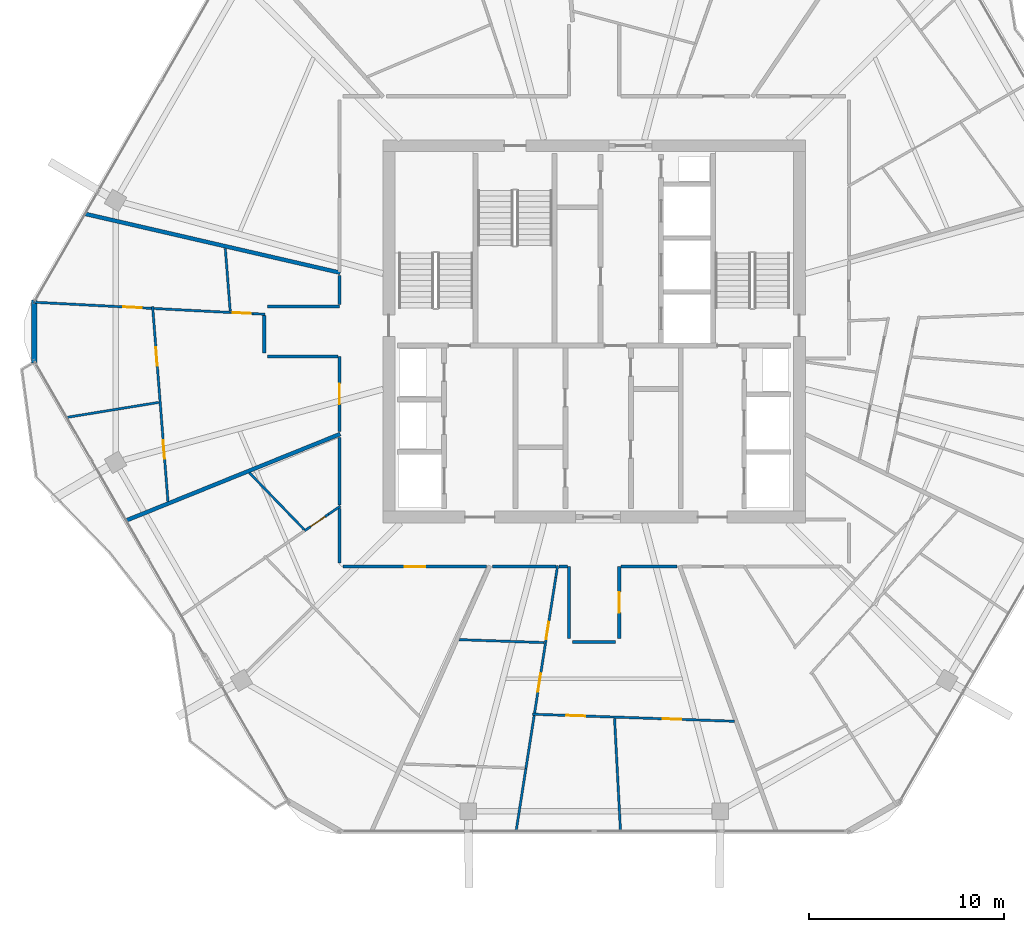
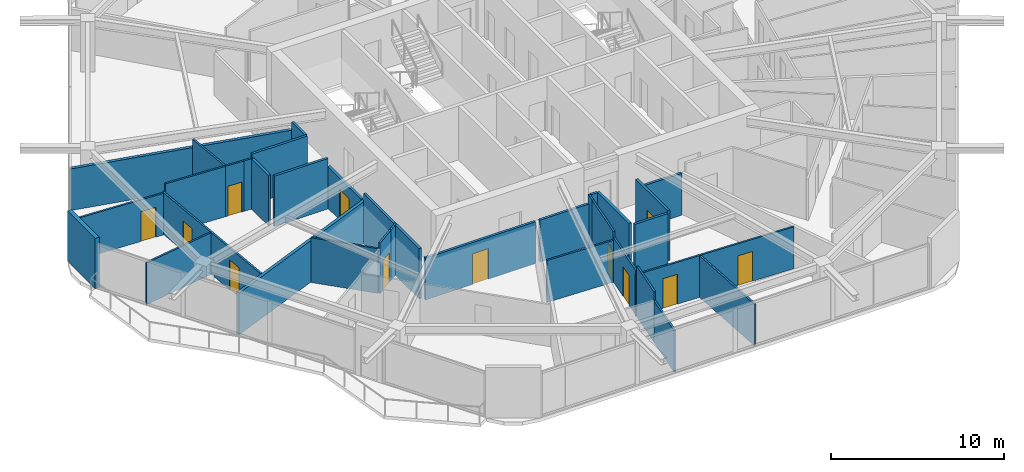
# One storey, part 18 of 26: 35 walls, 12 doors, 12 openings.
"""IFC4 building model written with IfcOpenShell, lengths in metres."""

from ifc_helpers import new_model, si_unit, direction, frame, frame_2d, origin, place, context, subcontext, project, spatial, rectangle, extrude, material, layer, layer_set, type_object, element, fill, save


model = new_model("IFC4")

# Units and contexts
model_context = context("Model", 3, precision=1e-05, world=origin(), true_north=direction((0.0, 1.0)))
body_context = subcontext(model_context, "Body", "Model", "MODEL_VIEW")
ifc_project = project(units=[si_unit("LENGTHUNIT", "METRE"), si_unit("AREAUNIT", "SQUARE_METRE"), si_unit("VOLUMEUNIT", "CUBIC_METRE"), si_unit("PLANEANGLEUNIT", "RADIAN"), si_unit("MASSUNIT", "GRAM", prefix="KILO")], contexts=[model_context])

# Site, building, storey
site_placement = place(None, origin())
site = spatial("IfcSite", under=ifc_project, at=site_placement, CompositionType="ELEMENT")
building_placement = place(site_placement, origin())
building = spatial("IfcBuilding", under=site, at=building_placement, Name="Zuhravey Tower", CompositionType="ELEMENT")
storey_placement = place(building_placement, frame((0.0, 0.0, 295.800048828125)))
storey = spatial("IfcBuildingStorey", under=building, at=storey_placement, Name="L75", CompositionType="ELEMENT", Elevation=295.800048828125)

# Wall, opening, door
ifc_material_1 = material(Name="Gypsum fire-rated stud partition")
ifc_layer_1 = layer(ifc_material_1, 0.159912109375)
ifc_layer_set_1 = layer_set([ifc_layer_1], Name="Gypsum fire-rated stud partition")
wall_type_1 = type_object("IfcWallType", Name="Corridor Fire Partition 160", PredefinedType="PARTITIONING", material=ifc_layer_set_1)
wall_1_placement = place(storey_placement, frame((23.14990234375, 19.969970703125, 0.0), z_axis=(0.0, 0.0, 1.0), x_axis=(1.0, 0.0, 0.0)))
wall_1 = element("IfcWall", 1, at=wall_1_placement, inside=storey, type_object=wall_type_1, Name="L75 IW16 Partition 025", PredefinedType="PARTITIONING", context=body_context, shape_type="SweptSolid", body=[
    extrude(rectangle(XDim=7.345703125, YDim=0.159912109375, at=frame_2d((3.6728515625, 0.0))), origin(), (0.0, 0.0, 1.0), 2.949951171875),
])
opening_1_placement = place(wall_1_placement, frame((3.147705078125, 0.0, 0.0)))
opening_1 = element("IfcOpeningElement", 2, at=opening_1_placement, cuts=wall_1, Name="Opening APD1", PredefinedType="OPENING", context=body_context, shape_type="SweptSolid", body=[
    extrude(rectangle(XDim=1.050048828125, YDim=2.14990234375, at=frame_2d((0.52490234375, 1.074951171875))), frame((0.0, 0.092041015625, 0.0), z_axis=(0.0, -1.0, 0.0), x_axis=(1.0, 0.0, 0.0)), (0.0, 0.0, 1.0), 0.183837890625),
])
ifc_material_2 = material(Name="Solid-core oak fire-rated leaf")
door_type_1 = type_object("IfcDoorType", Name="Apartment Entrance Fire Door 1050x2150", OperationType="NOTDEFINED", PredefinedType="DOOR", material=ifc_material_2)
door_1_placement = place(opening_1_placement, frame((1.050048828125, 0.0, 0.0), z_axis=(0.0, 0.0, 1.0), x_axis=(-1.0, 0.0, 0.0)))
door_1 = element("IfcDoor", 3, at=door_1_placement, inside=storey, type_object=door_type_1, Name="L75 Door 025.1", OperationType="SINGLE_SWING_LEFT", OverallHeight=2.14990234375, OverallWidth=1.050048828125, PredefinedType="DOOR", context=body_context, shape_type="SweptSolid", body=[
    extrude(rectangle(XDim=1.050048828125, YDim=2.14990234375, at=frame_2d((0.52490234375, 1.074951171875))), frame((0.0, 0.02490234375, 0.0), z_axis=(0.0, -1.0, 0.0), x_axis=(1.0, 0.0, 0.0)), (0.0, 0.0, 1.0), 0.050048828125),
])
fill(opening_1, door_1)

wall_2_placement = place(storey_placement, frame((37.280029296875, 16.300048828125, 0.0), z_axis=(0.0, 0.0, 1.0), x_axis=(0.0, 1.0, 0.0)))
wall_2 = element("IfcWall", 4, at=wall_2_placement, inside=storey, type_object=wall_type_1, Name="L75 IW16 Partition 031", PredefinedType="PARTITIONING", context=body_context, shape_type="SweptSolid", body=[
    extrude(rectangle(XDim=3.669921875, YDim=0.159912109375, at=frame_2d((1.8349609375, 0.0))), origin(), (0.0, 0.0, 1.0), 3.550048828125),
])
opening_2_placement = place(wall_2_placement, frame((1.31005859375, 0.0, 0.0)))
opening_2 = element("IfcOpeningElement", 5, at=opening_2_placement, cuts=wall_2, Name="Opening APD1", PredefinedType="OPENING", context=body_context, shape_type="SweptSolid", body=[
    extrude(rectangle(XDim=1.050048828125, YDim=2.14990234375, at=frame_2d((0.52490234375, 1.074951171875))), frame((0.0, 0.092041015625, 0.0), z_axis=(0.0, -1.0, 0.0), x_axis=(1.0, 0.0, 0.0)), (0.0, 0.0, 1.0), 0.183837890625),
])
door_2_placement = place(opening_2_placement, frame((1.050048828125, 0.0, 0.0), z_axis=(0.0, 0.0, 1.0), x_axis=(-1.0, 0.0, 0.0)))
door_2 = element("IfcDoor", 6, at=door_2_placement, inside=storey, type_object=door_type_1, Name="L75 Door 031.1", OperationType="SINGLE_SWING_LEFT", OverallHeight=2.14990234375, OverallWidth=1.050048828125, PredefinedType="DOOR", context=body_context, shape_type="SweptSolid", body=[
    extrude(rectangle(XDim=1.050048828125, YDim=2.14990234375, at=frame_2d((0.52490234375, 1.074951171875))), frame((0.0, 0.02490234375, 0.0), z_axis=(0.0, -1.0, 0.0), x_axis=(1.0, 0.0, 0.0)), (0.0, 0.0, 1.0), 0.050048828125),
])
fill(opening_2, door_2)

wall_3_placement = place(storey_placement, frame((22.969970703125, 30.719970703125, 0.0), z_axis=(0.0, 0.0, 1.0), x_axis=(0.0, -1.0, 0.0)))
wall_3 = element("IfcWall", 7, at=wall_3_placement, inside=storey, type_object=wall_type_1, Name="L75 IW16 Partition 057", PredefinedType="PARTITIONING", context=body_context, shape_type="SweptSolid", body=[
    extrude(rectangle(XDim=3.8310546875, YDim=0.159912109375, at=frame_2d((1.91552734375, 0.0))), origin(), (0.0, 0.0, 1.0), 2.949951171875),
])
opening_3_placement = place(wall_3_placement, frame((1.390625, 0.0, 0.0)))
opening_3 = element("IfcOpeningElement", 8, at=opening_3_placement, cuts=wall_3, Name="Opening APD1", PredefinedType="OPENING", context=body_context, shape_type="SweptSolid", body=[
    extrude(rectangle(XDim=1.050048828125, YDim=2.14990234375, at=frame_2d((0.52490234375, 1.074951171875))), frame((0.0, 0.092041015625, 0.0), z_axis=(0.0, -1.0, 0.0), x_axis=(1.0, 0.0, 0.0)), (0.0, 0.0, 1.0), 0.183837890625),
])
door_3_placement = place(opening_3_placement, frame((1.050048828125, 0.0, 0.0), z_axis=(0.0, 0.0, 1.0), x_axis=(-1.0, 0.0, 0.0)))
door_3 = element("IfcDoor", 9, at=door_3_placement, inside=storey, type_object=door_type_1, Name="L75 Door 057.1", OperationType="SINGLE_SWING_LEFT", OverallHeight=2.14990234375, OverallWidth=1.050048828125, PredefinedType="DOOR", context=body_context, shape_type="SweptSolid", body=[
    extrude(rectangle(XDim=1.050048828125, YDim=2.14990234375, at=frame_2d((0.52490234375, 1.074951171875))), frame((0.0, 0.02490234375, 0.0), z_axis=(0.0, -1.0, 0.0), x_axis=(1.0, 0.0, 0.0)), (0.0, 0.0, 1.0), 0.050048828125),
])
fill(opening_3, door_3)

# Walls
wall_4_placement = place(storey_placement, frame((22.969970703125, 22.94873046875, 0.0), z_axis=(0.0, 0.0, 1.0), x_axis=(0.0, -1.0, 0.0)))
element("IfcWall", 10, at=wall_4_placement, inside=storey, type_object=wall_type_1, Name="L75 IW16 Partition 106", PredefinedType="PARTITIONING", context=body_context, shape_type="SweptSolid", body=[
    extrude(rectangle(XDim=2.798828125, YDim=0.159912109375, at=frame_2d((1.3994140625, 0.0))), origin(), (0.0, 0.0, 1.0), 3.550048828125),
])
wall_5_placement = place(storey_placement, frame((22.969970703125, 26.5810546875, 0.0), z_axis=(0.0, 0.0, 1.0), x_axis=(0.0, -1.0, 0.0)))
element("IfcWall", 11, at=wall_5_placement, inside=storey, type_object=wall_type_1, Name="L75 IW16 Partition 107", PredefinedType="PARTITIONING", context=body_context, shape_type="SweptSolid", body=[
    extrude(rectangle(XDim=3.467041015625, YDim=0.159912109375, at=frame_2d((1.7333984375, 0.0))), origin(), (0.0, 0.0, 1.0), 3.550048828125),
])
wall_6_placement = place(storey_placement, frame((34.719970703125, 19.969970703125, 0.0), z_axis=(0.0, 0.0, 1.0), x_axis=(0.0, -1.0, 0.0)))
element("IfcWall", 12, at=wall_6_placement, inside=storey, type_object=wall_type_1, Name="L75 IW16 Partition 108", PredefinedType="PARTITIONING", context=body_context, shape_type="SweptSolid", body=[
    extrude(rectangle(XDim=3.669921875, YDim=0.159912109375, at=frame_2d((1.8349609375, 0.0))), origin(), (0.0, 0.0, 1.0), 3.550048828125),
])
wall_7_placement = place(storey_placement, frame((37.367919921875, 19.969970703125, 0.0), z_axis=(0.0, 0.0, 1.0), x_axis=(1.0, 0.0, 0.0)))
element("IfcWall", 13, at=wall_7_placement, inside=storey, type_object=wall_type_1, Name="L75 IW16 Partition 109", PredefinedType="PARTITIONING", context=body_context, shape_type="SweptSolid", body=[
    extrude(rectangle(XDim=2.870849609375, YDim=0.159912109375, at=frame_2d((1.435546875, 0.0))), origin(), (0.0, 0.0, 1.0), 2.949951171875),
])
wall_8_placement = place(storey_placement, frame((34.89990234375, 16.1201171875, 0.0), z_axis=(0.0, 0.0, 1.0), x_axis=(1.0, 0.0, 0.0)))
element("IfcWall", 14, at=wall_8_placement, inside=storey, type_object=wall_type_1, Name="L75 IW16 Partition 110", PredefinedType="PARTITIONING", context=body_context, shape_type="SweptSolid", body=[
    extrude(rectangle(XDim=2.2001953125, YDim=0.159912109375, at=frame_2d((1.10009765625, 0.0))), origin(), (0.0, 0.0, 1.0), 3.550048828125),
])
wall_9_placement = place(storey_placement, frame((34.189208984375, 19.969970703125, 0.0), z_axis=(0.0, 0.0, 1.0), x_axis=(1.0, 0.0, 0.0)))
element("IfcWall", 15, at=wall_9_placement, inside=storey, type_object=wall_type_1, Name="L75 IW16 Partition 111", PredefinedType="PARTITIONING", context=body_context, shape_type="SweptSolid", body=[
    extrude(rectangle(XDim=0.44287109375, YDim=0.159912109375, at=frame_2d((0.221435546875, 0.0))), origin(), (0.0, 0.0, 1.0), 3.550048828125),
])
wall_10_placement = place(storey_placement, frame((30.791015625, 19.969970703125, 0.0), z_axis=(0.0, 0.0, 1.0), x_axis=(1.0, 0.0, 0.0)))
element("IfcWall", 16, at=wall_10_placement, inside=storey, type_object=wall_type_1, Name="L75 IW16 Partition 112", PredefinedType="PARTITIONING", context=body_context, shape_type="SweptSolid", body=[
    extrude(rectangle(XDim=3.260498046875, YDim=0.159912109375, at=frame_2d((1.63037109375, 0.0))), origin(), (0.0, 0.0, 1.0), 2.949951171875),
])
wall_11_placement = place(storey_placement, frame((19.300048828125, 30.719970703125, 0.0), z_axis=(0.0, 0.0, 1.0), x_axis=(1.0, 0.0, 0.0)))
element("IfcWall", 17, at=wall_11_placement, inside=storey, type_object=wall_type_1, Name="L75 IW16 Partition 125", PredefinedType="PARTITIONING", context=body_context, shape_type="SweptSolid", body=[
    extrude(rectangle(XDim=3.58203125, YDim=0.159912109375, at=frame_2d((1.791015625, 0.0))), origin(), (0.0, 0.0, 1.0), 3.550048828125),
])
wall_12_placement = place(storey_placement, frame((19.1201171875, 32.810546875, 0.0), z_axis=(0.0, 0.0, 1.0), x_axis=(0.0, -1.0, 0.0)))
element("IfcWall", 18, at=wall_12_placement, inside=storey, type_object=wall_type_1, Name="L75 IW16 Partition 126", PredefinedType="PARTITIONING", context=body_context, shape_type="SweptSolid", body=[
    extrude(rectangle(XDim=1.91064453125, YDim=0.159912109375, at=frame_2d((0.955322265625, 0.0))), origin(), (0.0, 0.0, 1.0), 3.550048828125),
])
wall_13_placement = place(storey_placement, frame((22.969970703125, 33.280029296875, 0.0), z_axis=(0.0, 0.0, 1.0), x_axis=(-1.0, 0.0, 0.0)))
element("IfcWall", 19, at=wall_13_placement, inside=storey, type_object=wall_type_1, Name="L75 IW16 Partition 127", PredefinedType="PARTITIONING", context=body_context, shape_type="SweptSolid", body=[
    extrude(rectangle(XDim=3.669921875, YDim=0.159912109375, at=frame_2d((1.8349609375, 0.0))), origin(), (0.0, 0.0, 1.0), 3.550048828125),
])
wall_14_placement = place(storey_placement, frame((22.969970703125, 34.8681640625, 0.0), z_axis=(0.0, 0.0, 1.0), x_axis=(0.0, -1.0, 0.0)))
element("IfcWall", 20, at=wall_14_placement, inside=storey, type_object=wall_type_1, Name="L75 IW16 Partition 128", PredefinedType="PARTITIONING", context=body_context, shape_type="SweptSolid", body=[
    extrude(rectangle(XDim=1.500244140625, YDim=0.159912109375, at=frame_2d((0.75, 0.0))), origin(), (0.0, 0.0, 1.0), 3.550048828125),
])
ifc_material_3 = material(Name="Precast concrete C40/50", Category="concrete")
ifc_layer_2 = layer(ifc_material_3, 0.280029296875)
ifc_layer_set_2 = layer_set([ifc_layer_2], Name="Precast concrete C40/50")
wall_type_2 = type_object("IfcWallType", Name="Crown Architectural Wall 280", PredefinedType="SOLIDWALL", material=ifc_layer_set_2)
wall_15_placement = place(storey_placement, frame((7.35498046875, 30.392578125, 0.0), z_axis=(0.0, 0.0, 1.0), x_axis=(0.0, 1.0, 0.0)))
element("IfcWall", 21, at=wall_15_placement, inside=storey, type_object=wall_type_2, Name="L75 Rounded Corner Closure Wall EW28-06", PredefinedType="SOLIDWALL", context=body_context, shape_type="SweptSolid", body=[
    extrude(rectangle(XDim=3.21484375, YDim=0.280029296875, at=frame_2d((1.607421875, 0.0))), origin(), (0.0, 0.0, 1.0), 3.550048828125),
])
ifc_material_4 = material(Name="Gypsum double-stud party assembly")
ifc_layer_3 = layer(ifc_material_4, 0.199951171875)
ifc_layer_set_3 = layer_set([ifc_layer_3], Name="Gypsum double-stud party assembly")
wall_type_3 = type_object("IfcWallType", Name="Inter-Tenancy Party Wall 200", PredefinedType="PARTITIONING", material=ifc_layer_set_3)
wall_16_placement = place(storey_placement, frame((23.010009765625, 26.751708984375, 0.0), z_axis=(0.0, 0.0, 1.0), x_axis=(-0.927183134291, -0.374608376155, 0.0)))
element("IfcWall", 22, at=wall_16_placement, inside=storey, type_object=wall_type_3, Name="L75 IW20 Partition 062", PredefinedType="PARTITIONING", context=body_context, shape_type="SweptSolid", body=[
    extrude(rectangle(XDim=11.8046875, YDim=0.199951171875, at=frame_2d((5.90234375, 0.0))), origin(), (0.0, 0.0, 1.0), 2.929931640625),
])
wall_17_placement = place(storey_placement, frame((23.010009765625, 34.9990234375, 0.0), z_axis=(0.0, 0.0, 1.0), x_axis=(-0.974372460803, 0.224940675799, 0.0)))
element("IfcWall", 23, at=wall_17_placement, inside=storey, type_object=wall_type_3, Name="L75 IW20 Partition 102", PredefinedType="PARTITIONING", context=body_context, shape_type="SweptSolid", body=[
    extrude(rectangle(XDim=13.39990234375, YDim=0.199951171875, at=frame_2d((6.699951171875, 0.0))), origin(), (0.0, 0.0, 1.0), 2.929931640625),
])

# Wall, opening, door
ifc_material_5 = material(Name="Gypsum metal-stud partition")
ifc_layer_4 = layer(ifc_material_5, 0.1201171875)
ifc_layer_set_4 = layer_set([ifc_layer_4], Name="Gypsum metal-stud partition")
wall_type_4 = type_object("IfcWallType", Name="Unit Internal Partition 120", PredefinedType="PARTITIONING", material=ifc_layer_set_4)
wall_18_placement = place(storey_placement, frame((22.39990234375, 22.638916015625, 0.0), z_axis=(0.0, 0.0, 1.0), x_axis=(-0.82372765271, -0.566985673683, 0.0)))
wall_18 = element("IfcWall", 24, at=wall_18_placement, inside=storey, type_object=wall_type_4, Name="L75 IW12 Partition 022", PredefinedType="PARTITIONING", context=body_context, shape_type="SweptSolid", body=[
    extrude(rectangle(XDim=1.473876953125, YDim=0.1201171875, at=frame_2d((0.73681640625, 0.0))), origin(), (0.0, 0.0, 1.0), 3.550048828125),
])
opening_4_placement = place(wall_18_placement, frame((0.199951171875, 0.0, 0.0)))
opening_4 = element("IfcOpeningElement", 25, at=opening_4_placement, cuts=wall_18, Name="Opening WCD1", PredefinedType="OPENING", context=body_context, shape_type="SweptSolid", body=[
    extrude(rectangle(XDim=0.89990234375, YDim=2.10009765625, at=frame_2d((0.449951171875, 1.050048828125))), frame((0.0, 0.072021484375, 0.0), z_axis=(0.0, -1.0, 0.0), x_axis=(1.0, 0.0, 0.0)), (0.0, 0.0, 1.0), 0.14404296875),
])
ifc_material_6 = material(Name="Moisture-resistant timber leaf", Category="wood")
door_type_2 = type_object("IfcDoorType", Name="Bathroom & WC Internal Door 900x2100", OperationType="NOTDEFINED", PredefinedType="DOOR", material=ifc_material_6)
door_4_placement = place(opening_4_placement, frame((0.89990234375, 0.0, 0.0), z_axis=(0.0, 0.0, 1.0), x_axis=(-1.0, 0.0, 0.0)))
door_4 = element("IfcDoor", 26, at=door_4_placement, inside=storey, type_object=door_type_2, Name="Apartment L75-01 Bathroom Door", OperationType="SINGLE_SWING_LEFT", OverallHeight=2.10009765625, OverallWidth=0.89990234375, PredefinedType="DOOR", context=body_context, shape_type="SweptSolid", body=[
    extrude(rectangle(XDim=0.89990234375, YDim=2.10009765625, at=frame_2d((0.449951171875, 1.050048828125))), frame((0.0, 0.02490234375, 0.0), z_axis=(0.0, -1.0, 0.0), x_axis=(1.0, 0.0, 0.0)), (0.0, 0.0, 1.0), 0.050048828125),
])
fill(opening_4, door_4)

# Wall, openings, doors
wall_19_placement = place(storey_placement, frame((32.839111328125, 12.416748046875, 0.0), z_axis=(0.0, 0.0, 1.0), x_axis=(0.999390413178, -0.034911345561, 0.0)))
wall_19 = element("IfcWall", 27, at=wall_19_placement, inside=storey, type_object=wall_type_4, Name="L75 IW12 Partition 026", PredefinedType="PARTITIONING", context=body_context, shape_type="SweptSolid", body=[
    extrude(rectangle(XDim=10.3359375, YDim=0.1201171875, at=frame_2d((5.16796875, 0.0))), origin(), (0.0, 0.0, 1.0), 2.949951171875),
])
opening_5_placement = place(wall_19_placement, frame((1.745849609375, 0.0, 0.0)))
opening_5 = element("IfcOpeningElement", 28, at=opening_5_placement, cuts=wall_19, Name="Opening IND1", PredefinedType="OPENING", context=body_context, shape_type="SweptSolid", body=[
    extrude(rectangle(XDim=0.949951171875, YDim=2.10009765625, at=frame_2d((0.47509765625, 1.050048828125))), frame((0.0, 0.072021484375, 0.0), z_axis=(0.0, -1.0, 0.0), x_axis=(1.0, 0.0, 0.0)), (0.0, 0.0, 1.0), 0.14404296875),
])
opening_6_placement = place(wall_19_placement, frame((6.67333984375, 0.0, 0.0)))
opening_6 = element("IfcOpeningElement", 29, at=opening_6_placement, cuts=wall_19, Name="Opening IND1", PredefinedType="OPENING", context=body_context, shape_type="SweptSolid", body=[
    extrude(rectangle(XDim=0.949951171875, YDim=2.10009765625, at=frame_2d((0.47509765625, 1.050048828125))), frame((0.0, 0.072021484375, 0.0), z_axis=(0.0, -1.0, 0.0), x_axis=(1.0, 0.0, 0.0)), (0.0, 0.0, 1.0), 0.14404296875),
])
ifc_material_7 = material(Name="Painted engineered timber leaf", Category="wood")
door_type_3 = type_object("IfcDoorType", Name="Internal Room & Bedroom Door 950x2100", OperationType="NOTDEFINED", PredefinedType="DOOR", material=ifc_material_7)
door_5_placement = place(opening_5_placement, frame((0.949951171875, 0.0, 0.0), z_axis=(0.0, 0.0, 1.0), x_axis=(-1.0, 0.0, 0.0)))
door_5 = element("IfcDoor", 30, at=door_5_placement, inside=storey, type_object=door_type_3, Name="Apartment L75-02 Family Study Door", OperationType="SINGLE_SWING_RIGHT", OverallHeight=2.10009765625, OverallWidth=0.949951171875, PredefinedType="DOOR", context=body_context, shape_type="SweptSolid", body=[
    extrude(rectangle(XDim=0.949951171875, YDim=2.10009765625, at=frame_2d((0.47509765625, 1.050048828125))), frame((0.0, 0.02490234375, 0.0), z_axis=(0.0, -1.0, 0.0), x_axis=(1.0, 0.0, 0.0)), (0.0, 0.0, 1.0), 0.050048828125),
])
fill(opening_5, door_5)
door_6_placement = place(opening_6_placement, frame((0.949951171875, 0.0, 0.0), z_axis=(0.0, 0.0, 1.0), x_axis=(-1.0, 0.0, 0.0)))
door_6 = element("IfcDoor", 31, at=door_6_placement, inside=storey, type_object=door_type_3, Name="Apartment L75-02 Dining Room Door", OperationType="SINGLE_SWING_LEFT", OverallHeight=2.10009765625, OverallWidth=0.949951171875, PredefinedType="DOOR", context=body_context, shape_type="SweptSolid", body=[
    extrude(rectangle(XDim=0.949951171875, YDim=2.10009765625, at=frame_2d((0.47509765625, 1.050048828125))), frame((0.0, 0.02490234375, 0.0), z_axis=(0.0, -1.0, 0.0), x_axis=(1.0, 0.0, 0.0)), (0.0, 0.0, 1.0), 0.050048828125),
])
fill(opening_6, door_6)

# Wall, opening, door
wall_20_placement = place(storey_placement, frame((34.031494140625, 19.39990234375, 0.0), z_axis=(0.0, 0.0, 1.0), x_axis=(-0.154412048647, -0.988006538052, 0.0)))
wall_20 = element("IfcWall", 32, at=wall_20_placement, inside=storey, type_object=wall_type_4, Name="L75 IW12 Partition 027", PredefinedType="PARTITIONING", context=body_context, shape_type="SweptSolid", body=[
    extrude(rectangle(XDim=3.38818359375, YDim=0.1201171875, at=frame_2d((1.694091796875, 0.0))), origin(), (0.0, 0.0, 1.0), 3.550048828125),
])
opening_7_placement = place(wall_20_placement, frame((2.293212890625, 0.0, 0.0)))
opening_7 = element("IfcOpeningElement", 33, at=opening_7_placement, cuts=wall_20, Name="Opening WCD1", PredefinedType="OPENING", context=body_context, shape_type="SweptSolid", body=[
    extrude(rectangle(XDim=0.89990234375, YDim=2.10009765625, at=frame_2d((0.449951171875, 1.050048828125))), frame((0.0, 0.072021484375, 0.0), z_axis=(0.0, -1.0, 0.0), x_axis=(1.0, 0.0, 0.0)), (0.0, 0.0, 1.0), 0.14404296875),
])
door_7_placement = place(opening_7_placement, frame((0.89990234375, 0.0, 0.0), z_axis=(0.0, 0.0, 1.0), x_axis=(-1.0, 0.0, 0.0)))
door_7 = element("IfcDoor", 34, at=door_7_placement, inside=storey, type_object=door_type_2, Name="Apartment L75-02 Bathroom Door", OperationType="SINGLE_SWING_RIGHT", OverallHeight=2.10009765625, OverallWidth=0.89990234375, PredefinedType="DOOR", context=body_context, shape_type="SweptSolid", body=[
    extrude(rectangle(XDim=0.89990234375, YDim=2.10009765625, at=frame_2d((0.449951171875, 1.050048828125))), frame((0.0, 0.02490234375, 0.0), z_axis=(0.0, -1.0, 0.0), x_axis=(1.0, 0.0, 0.0)), (0.0, 0.0, 1.0), 0.050048828125),
])
fill(opening_7, door_7)

wall_21_placement = place(storey_placement, frame((33.50830078125, 16.05224609375, 0.0), z_axis=(0.0, 0.0, 1.0), x_axis=(-0.154335671849, -0.988018471687, 0.0)))
wall_21 = element("IfcWall", 35, at=wall_21_placement, inside=storey, type_object=wall_type_4, Name="L75 IW12 Partition 028", PredefinedType="PARTITIONING", context=body_context, shape_type="SweptSolid", body=[
    extrude(rectangle(XDim=3.614501953125, YDim=0.1201171875, at=frame_2d((1.80712890625, 0.0))), origin(), (0.0, 0.0, 1.0), 3.14990234375),
])
opening_8_placement = place(wall_21_placement, frame((1.572265625, 0.0, 0.0)))
opening_8 = element("IfcOpeningElement", 36, at=opening_8_placement, cuts=wall_21, Name="Opening IND1", PredefinedType="OPENING", context=body_context, shape_type="SweptSolid", body=[
    extrude(rectangle(XDim=0.949951171875, YDim=2.10009765625, at=frame_2d((0.47509765625, 1.050048828125))), frame((0.0, 0.072021484375, 0.0), z_axis=(0.0, -1.0, 0.0), x_axis=(1.0, 0.0, 0.0)), (0.0, 0.0, 1.0), 0.14404296875),
])
door_8_placement = place(opening_8_placement, frame((0.949951171875, 0.0, 0.0), z_axis=(0.0, 0.0, 1.0), x_axis=(-1.0, 0.0, 0.0)))
door_8 = element("IfcDoor", 37, at=door_8_placement, inside=storey, type_object=door_type_3, Name="Apartment L75-02 Home Office Door", OperationType="SINGLE_SWING_LEFT", OverallHeight=2.10009765625, OverallWidth=0.949951171875, PredefinedType="DOOR", context=body_context, shape_type="SweptSolid", body=[
    extrude(rectangle(XDim=0.949951171875, YDim=2.10009765625, at=frame_2d((0.47509765625, 1.050048828125))), frame((0.0, 0.02490234375, 0.0), z_axis=(0.0, -1.0, 0.0), x_axis=(1.0, 0.0, 0.0)), (0.0, 0.0, 1.0), 0.050048828125),
])
fill(opening_8, door_8)

# Wall
wall_22_placement = place(storey_placement, frame((32.92919921875, 12.345458984375, 0.0), z_axis=(0.0, 0.0, 1.0), x_axis=(-0.154349819993, -0.98801626154, 0.0)))
element("IfcWall", 38, at=wall_22_placement, inside=storey, type_object=wall_type_4, Name="L75 IW12 Partition 029", PredefinedType="PARTITIONING", context=body_context, shape_type="SweptSolid", body=[
    extrude(rectangle(XDim=2.752197265625, YDim=0.1201171875, at=frame_2d((1.3759765625, 0.0))), origin(), (0.0, 0.0, 1.0), 3.550048828125),
])

# Wall, openings, doors
wall_23_placement = place(storey_placement, frame((13.409912109375, 33.276123046875, 0.0), z_axis=(0.0, 0.0, 1.0), x_axis=(0.078461860228, -0.996917116158, 0.0)))
wall_23 = element("IfcWall", 39, at=wall_23_placement, inside=storey, type_object=wall_type_4, Name="L75 IW12 Partition 053", PredefinedType="PARTITIONING", context=body_context, shape_type="SweptSolid", body=[
    extrude(rectangle(XDim=10.003662109375, YDim=0.1201171875, at=frame_2d((5.001953125, 0.0))), origin(), (0.0, 0.0, 1.0), 2.949951171875),
])
opening_9_placement = place(wall_23_placement, frame((2.101318359375, 0.0, 0.0)))
opening_9 = element("IfcOpeningElement", 40, at=opening_9_placement, cuts=wall_23, Name="Opening IND1", PredefinedType="OPENING", context=body_context, shape_type="SweptSolid", body=[
    extrude(rectangle(XDim=0.949951171875, YDim=2.10009765625, at=frame_2d((0.47509765625, 1.050048828125))), frame((0.0, 0.072021484375, 0.0), z_axis=(0.0, -1.0, 0.0), x_axis=(1.0, 0.0, 0.0)), (0.0, 0.0, 1.0), 0.14404296875),
])
opening_10_placement = place(wall_23_placement, frame((6.86279296875, 0.0, 0.0)))
opening_10 = element("IfcOpeningElement", 41, at=opening_10_placement, cuts=wall_23, Name="Opening IND1", PredefinedType="OPENING", context=body_context, shape_type="SweptSolid", body=[
    extrude(rectangle(XDim=0.949951171875, YDim=2.10009765625, at=frame_2d((0.47509765625, 1.050048828125))), frame((0.0, 0.072021484375, 0.0), z_axis=(0.0, -1.0, 0.0), x_axis=(1.0, 0.0, 0.0)), (0.0, 0.0, 1.0), 0.14404296875),
])
door_9_placement = place(opening_9_placement, frame((0.949951171875, 0.0, 0.0), z_axis=(0.0, 0.0, 1.0), x_axis=(-1.0, 0.0, 0.0)))
door_9 = element("IfcDoor", 42, at=door_9_placement, inside=storey, type_object=door_type_3, Name="Apartment L75-09 Family Study Door", OperationType="SINGLE_SWING_LEFT", OverallHeight=2.10009765625, OverallWidth=0.949951171875, PredefinedType="DOOR", context=body_context, shape_type="SweptSolid", body=[
    extrude(rectangle(XDim=0.949951171875, YDim=2.10009765625, at=frame_2d((0.47509765625, 1.050048828125))), frame((0.0, 0.02490234375, 0.0), z_axis=(0.0, -1.0, 0.0), x_axis=(1.0, 0.0, 0.0)), (0.0, 0.0, 1.0), 0.050048828125),
])
fill(opening_9, door_9)
door_10_placement = place(opening_10_placement, frame((0.949951171875, 0.0, 0.0), z_axis=(0.0, 0.0, 1.0), x_axis=(-1.0, 0.0, 0.0)))
door_10 = element("IfcDoor", 43, at=door_10_placement, inside=storey, type_object=door_type_3, Name="Apartment L75-09 Dining Room Door", OperationType="SINGLE_SWING_RIGHT", OverallHeight=2.10009765625, OverallWidth=0.949951171875, PredefinedType="DOOR", context=body_context, shape_type="SweptSolid", body=[
    extrude(rectangle(XDim=0.949951171875, YDim=2.10009765625, at=frame_2d((0.47509765625, 1.050048828125))), frame((0.0, 0.02490234375, 0.0), z_axis=(0.0, -1.0, 0.0), x_axis=(1.0, 0.0, 0.0)), (0.0, 0.0, 1.0), 0.050048828125),
])
fill(opening_10, door_10)

# Wall, opening, door
wall_24_placement = place(storey_placement, frame((18.550048828125, 32.908447265625, 0.0), z_axis=(0.0, 0.0, 1.0), x_axis=(-0.998654389981, 0.051859515736, 0.0)))
wall_24 = element("IfcWall", 44, at=wall_24_placement, inside=storey, type_object=wall_type_4, Name="L75 IW12 Partition 054", PredefinedType="PARTITIONING", context=body_context, shape_type="SweptSolid", body=[
    extrude(rectangle(XDim=1.191162109375, YDim=0.1201171875, at=frame_2d((0.595703125, 0.0))), origin(), (0.0, 0.0, 1.0), 3.550048828125),
])
opening_11_placement = place(wall_24_placement, frame((0.131103515625, 0.0, 0.0)))
opening_11 = element("IfcOpeningElement", 45, at=opening_11_placement, cuts=wall_24, Name="Opening WCD1", PredefinedType="OPENING", context=body_context, shape_type="SweptSolid", body=[
    extrude(rectangle(XDim=0.89990234375, YDim=2.10009765625, at=frame_2d((0.449951171875, 1.050048828125))), frame((0.0, 0.072021484375, 0.0), z_axis=(0.0, -1.0, 0.0), x_axis=(1.0, 0.0, 0.0)), (0.0, 0.0, 1.0), 0.14404296875),
])
door_11_placement = place(opening_11_placement, frame((0.89990234375, 0.0, 0.0), z_axis=(0.0, 0.0, 1.0), x_axis=(-1.0, 0.0, 0.0)))
door_11 = element("IfcDoor", 46, at=door_11_placement, inside=storey, type_object=door_type_2, Name="Apartment L75-09 Bathroom Door", OperationType="SINGLE_SWING_LEFT", OverallHeight=2.10009765625, OverallWidth=0.89990234375, PredefinedType="DOOR", context=body_context, shape_type="SweptSolid", body=[
    extrude(rectangle(XDim=0.89990234375, YDim=2.10009765625, at=frame_2d((0.449951171875, 1.050048828125))), frame((0.0, 0.02490234375, 0.0), z_axis=(0.0, -1.0, 0.0), x_axis=(1.0, 0.0, 0.0)), (0.0, 0.0, 1.0), 0.050048828125),
])
fill(opening_11, door_11)

# Wall
wall_25_placement = place(storey_placement, frame((17.360595703125, 32.97021484375, 0.0), z_axis=(0.0, 0.0, 1.0), x_axis=(-0.99864481564, 0.05204356056, 0.0)))
element("IfcWall", 47, at=wall_25_placement, inside=storey, type_object=wall_type_4, Name="L75 IW12 Partition 055", PredefinedType="PARTITIONING", context=body_context, shape_type="SweptSolid", body=[
    extrude(rectangle(XDim=3.879638671875, YDim=0.1201171875, at=frame_2d((1.93994140625, 0.0))), origin(), (0.0, 0.0, 1.0), 3.550048828125),
])

# Wall, opening, door
wall_26_placement = place(storey_placement, frame((13.349365234375, 33.17919921875, 0.0), z_axis=(0.0, 0.0, 1.0), x_axis=(-0.998648369581, 0.051975320417, 0.0)))
wall_26 = element("IfcWall", 48, at=wall_26_placement, inside=storey, type_object=wall_type_4, Name="L75 IW12 Partition 056", PredefinedType="PARTITIONING", context=body_context, shape_type="SweptSolid", body=[
    extrude(rectangle(XDim=6.01708984375, YDim=0.1201171875, at=frame_2d((3.008544921875, 0.0))), origin(), (0.0, 0.0, 1.0), 2.929931640625),
])
opening_12_placement = place(wall_26_placement, frame((0.5, 0.0, 0.0)))
opening_12 = element("IfcOpeningElement", 49, at=opening_12_placement, cuts=wall_26, Name="Opening IND1", PredefinedType="OPENING", context=body_context, shape_type="SweptSolid", body=[
    extrude(rectangle(XDim=0.949951171875, YDim=2.10009765625, at=frame_2d((0.47509765625, 1.050048828125))), frame((0.0, 0.072021484375, 0.0), z_axis=(0.0, -1.0, 0.0), x_axis=(1.0, 0.0, 0.0)), (0.0, 0.0, 1.0), 0.14404296875),
])
door_12_placement = place(opening_12_placement, frame((0.949951171875, 0.0, 0.0), z_axis=(0.0, 0.0, 1.0), x_axis=(-1.0, 0.0, 0.0)))
door_12 = element("IfcDoor", 50, at=door_12_placement, inside=storey, type_object=door_type_3, Name="Apartment L75-09 Bedroom 1 Door", OperationType="SINGLE_SWING_RIGHT", OverallHeight=2.10009765625, OverallWidth=0.949951171875, PredefinedType="DOOR", context=body_context, shape_type="SweptSolid", body=[
    extrude(rectangle(XDim=0.949951171875, YDim=2.10009765625, at=frame_2d((0.47509765625, 1.050048828125))), frame((0.0, 0.02490234375, 0.0), z_axis=(0.0, -1.0, 0.0), x_axis=(1.0, 0.0, 0.0)), (0.0, 0.0, 1.0), 0.050048828125),
])
fill(opening_12, door_12)

# Walls
wall_27_placement = place(storey_placement, frame((23.014892578125, 23.062255859375, 0.0), z_axis=(0.0, 0.0, 1.0), x_axis=(-0.823707844143, -0.567014450871, 0.0)))
element("IfcWall", 51, at=wall_27_placement, inside=storey, type_object=wall_type_4, Name="L75 IW12 Partition 064", PredefinedType="PARTITIONING", context=body_context, shape_type="SweptSolid", body=[
    extrude(rectangle(XDim=0.74658203125, YDim=0.1201171875, at=frame_2d((0.373291015625, 0.0))), origin(), (0.0, 0.0, 1.0), 3.550048828125),
])
wall_28_placement = place(storey_placement, frame((18.3662109375, 24.759033203125, 0.0), z_axis=(0.0, 0.0, 1.0), x_axis=(0.694640032454, -0.719357508692, 0.0)))
element("IfcWall", 52, at=wall_28_placement, inside=storey, type_object=wall_type_4, Name="L75 IW12 Partition 065", PredefinedType="PARTITIONING", context=body_context, shape_type="SweptSolid", body=[
    extrude(rectangle(XDim=4.02001953125, YDim=0.1201171875, at=frame_2d((2.010009765625, 0.0))), origin(), (0.0, 0.0, 1.0), 3.14990234375),
])
wall_29_placement = place(storey_placement, frame((37.041015625, 12.201904296875, 0.0), z_axis=(0.0, 0.0, 1.0), x_axis=(0.05250142471, -0.998620849173, 0.0)))
element("IfcWall", 53, at=wall_29_placement, inside=storey, type_object=wall_type_4, Name="L75 IW12 Partition 067", PredefinedType="PARTITIONING", context=body_context, shape_type="SweptSolid", body=[
    extrude(rectangle(XDim=5.803466796875, YDim=0.1201171875, at=frame_2d((2.90185546875, 0.0))), origin(), (0.0, 0.0, 1.0), 2.929931640625),
])
wall_30_placement = place(storey_placement, frame((34.12744140625, 20.0146484375, 0.0), z_axis=(0.0, 0.0, 1.0), x_axis=(-0.154209298689, -0.988038203815, 0.0)))
element("IfcWall", 54, at=wall_30_placement, inside=storey, type_object=wall_type_4, Name="L75 IW12 Partition 068", PredefinedType="PARTITIONING", context=body_context, shape_type="SweptSolid", body=[
    extrude(rectangle(XDim=0.6220703125, YDim=0.1201171875, at=frame_2d((0.31103515625, 0.0))), origin(), (0.0, 0.0, 1.0), 3.550048828125),
])
wall_31_placement = place(storey_placement, frame((32.50439453125, 9.626220703125, 0.0), z_axis=(0.0, 0.0, 1.0), x_axis=(-0.15439991205, -0.988008434761, 0.0)))
element("IfcWall", 55, at=wall_31_placement, inside=storey, type_object=wall_type_4, Name="L75 IW12 Partition 069", PredefinedType="PARTITIONING", context=body_context, shape_type="SweptSolid", body=[
    extrude(rectangle(XDim=3.233642578125, YDim=0.1201171875, at=frame_2d((1.61669921875, 0.0))), origin(), (0.0, 0.0, 1.0), 2.929931640625),
])
wall_32_placement = place(storey_placement, frame((29.09765625, 16.231201171875, 0.0), z_axis=(0.0, 0.0, 1.0), x_axis=(0.999392117738, -0.034862515735, 0.0)))
element("IfcWall", 56, at=wall_32_placement, inside=storey, type_object=wall_type_4, Name="L75 IW12 Partition 070", PredefinedType="PARTITIONING", context=body_context, shape_type="SweptSolid", body=[
    extrude(rectangle(XDim=4.348876953125, YDim=0.1201171875, at=frame_2d((2.17431640625, 0.0))), origin(), (0.0, 0.0, 1.0), 2.949951171875),
])
wall_33_placement = place(storey_placement, frame((13.727783203125, 28.36865234375, 0.0), z_axis=(0.0, 0.0, 1.0), x_axis=(-0.986970483609, -0.160901412311, 0.0)))
element("IfcWall", 57, at=wall_33_placement, inside=storey, type_object=wall_type_4, Name="L75 IW12 Partition 103", PredefinedType="PARTITIONING", context=body_context, shape_type="SweptSolid", body=[
    extrude(rectangle(XDim=4.80078125, YDim=0.1201171875, at=frame_2d((2.400390625, 0.0))), origin(), (0.0, 0.0, 1.0), 2.929931640625),
])
wall_34_placement = place(storey_placement, frame((19.1650390625, 32.87646484375, 0.0), z_axis=(0.0, 0.0, 1.0), x_axis=(-0.998650488965, 0.051934582793, 0.0)))
element("IfcWall", 58, at=wall_34_placement, inside=storey, type_object=wall_type_4, Name="L75 IW12 Partition 104", PredefinedType="PARTITIONING", context=body_context, shape_type="SweptSolid", body=[
    extrude(rectangle(XDim=0.61572265625, YDim=0.1201171875, at=frame_2d((0.307861328125, 0.0))), origin(), (0.0, 0.0, 1.0), 3.550048828125),
])
wall_35_placement = place(storey_placement, frame((17.1279296875, 36.24609375, 0.0), z_axis=(0.0, 0.0, 1.0), x_axis=(0.078430710839, -0.996919567266, 0.0)))
element("IfcWall", 59, at=wall_35_placement, inside=storey, type_object=wall_type_4, Name="L75 IW12 Partition 105", PredefinedType="PARTITIONING", context=body_context, shape_type="SweptSolid", body=[
    extrude(rectangle(XDim=3.21875, YDim=0.1201171875, at=frame_2d((1.609375, 0.0))), origin(), (0.0, 0.0, 1.0), 3.550048828125),
])

save(model, "model.ifc")
